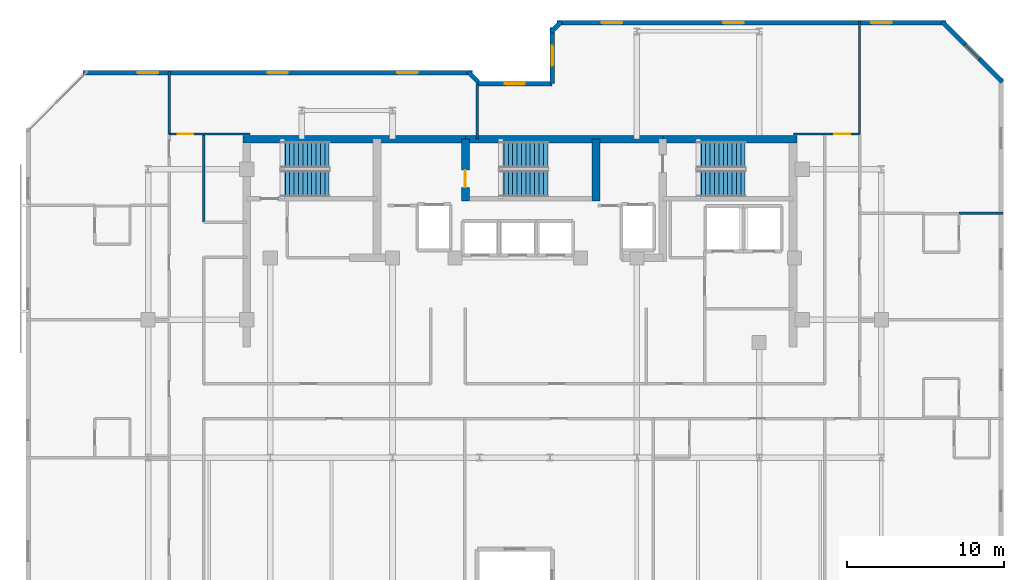
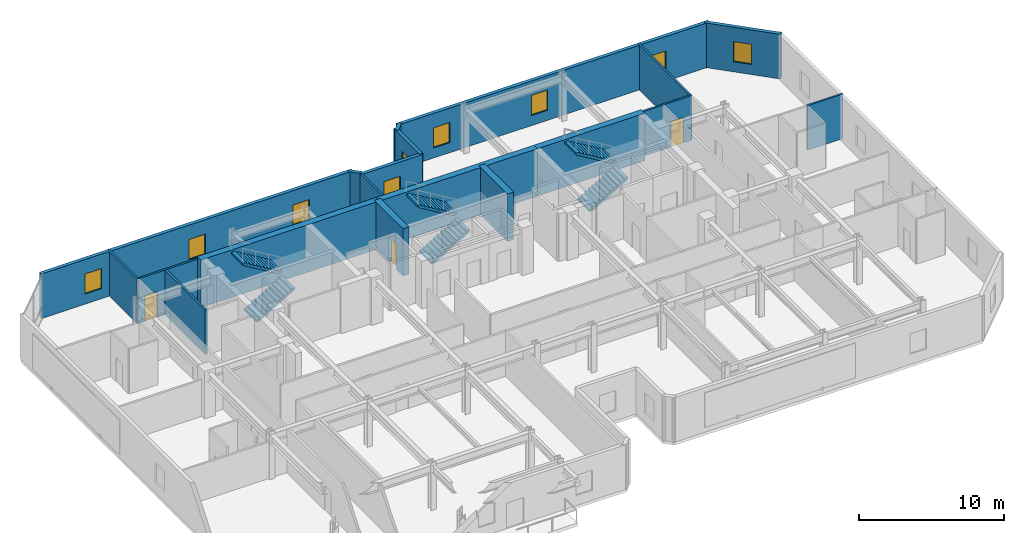
# One storey, part 7 of 10: 19 walls, 9 windows, 6 stair flights, 3 doors, 12 openings, 3 elements without a shape of their own.
"""IFC4 building model written with IfcOpenShell, lengths in metres."""

from ifc_helpers import new_model, si_unit, direction, frame, frame_2d, origin, place, context, subcontext, project, spatial, polyline, rectangle, outline, extrude, material, layer, layer_set, type_object, element, fill, aggregate, save


model = new_model("IFC4")

# Units and contexts
model_context = context("Model", 3, precision=1e-05, world=origin(), true_north=direction((0.0, 1.0)))
body_context = subcontext(model_context, "Body", "Model", "MODEL_VIEW")
ifc_project = project(units=[si_unit("LENGTHUNIT", "METRE"), si_unit("AREAUNIT", "SQUARE_METRE"), si_unit("VOLUMEUNIT", "CUBIC_METRE"), si_unit("PLANEANGLEUNIT", "RADIAN"), si_unit("MASSUNIT", "GRAM", prefix="KILO")], contexts=[model_context])

# Site, building, storey
site_placement = place(None, origin())
site = spatial("IfcSite", under=ifc_project, at=site_placement, CompositionType="ELEMENT")
building_placement = place(site_placement, origin())
building = spatial("IfcBuilding", under=site, at=building_placement, Name="Kestravale Grand Hotel", CompositionType="ELEMENT")
storey_placement = place(building_placement, frame((0.0, 0.0, 277.39990234375)))
storey = spatial("IfcBuildingStorey", under=building, at=storey_placement, Name="L69", CompositionType="ELEMENT", Elevation=277.39990234375)

# Walls
ifc_material_1 = material(Name="Concrete f'c 50 MPa", Category="concrete")
ifc_layer_1 = layer(ifc_material_1, 0.5)
ifc_layer_set_1 = layer_set([ifc_layer_1], Name="EW-CORE-500")
wall_type_1 = type_object("IfcWallType", Name="EW-CORE-500", PredefinedType="SHEAR", material=ifc_layer_set_1)
wall_1_placement = place(storey_placement, frame((21.64990234375, 40.320068359375, 0.0), z_axis=(0.0, 0.0, 1.0), x_axis=(1.0, 0.0, 0.0)))
element("IfcWall", 1, at=wall_1_placement, inside=storey, type_object=wall_type_1, Name="L69 core shear wall N1", PredefinedType="SHEAR", context=body_context, shape_type="SweptSolid", body=[
    extrude(rectangle(XDim=14.2001953125, YDim=0.5, at=frame_2d((7.10009765625, 0.0))), origin(), (0.0, 0.0, 1.0), 4.0),
])
wall_2_placement = place(storey_placement, frame((35.85009765625, 40.320068359375, 0.0), z_axis=(0.0, 0.0, 1.0), x_axis=(1.0, 0.0, 0.0)))
element("IfcWall", 2, at=wall_2_placement, inside=storey, type_object=wall_type_1, Name="L69 core shear wall N2", PredefinedType="SHEAR", context=body_context, shape_type="SweptSolid", body=[
    extrude(rectangle(XDim=12.599853515625, YDim=0.5, at=frame_2d((6.2998046875, 0.0))), origin(), (0.0, 0.0, 1.0), 4.0),
])
wall_3_placement = place(storey_placement, frame((48.449951171875, 40.320068359375, 0.0), z_axis=(0.0, 0.0, 1.0), x_axis=(1.0, 0.0, 0.0)))
element("IfcWall", 3, at=wall_3_placement, inside=storey, type_object=wall_type_1, Name="L69 core shear wall N3", PredefinedType="SHEAR", context=body_context, shape_type="SweptSolid", body=[
    extrude(rectangle(XDim=8.570068359375, YDim=0.5, at=frame_2d((4.28515625, 0.0))), origin(), (0.0, 0.0, 1.0), 4.0),
])

# Wall, opening, door
wall_4_placement = place(storey_placement, frame((35.85009765625, 36.3701171875, 0.0), z_axis=(0.0, 0.0, 1.0), x_axis=(0.0, 1.0, 0.0)))
wall_4 = element("IfcWall", 4, at=wall_4_placement, inside=storey, type_object=wall_type_1, Name="L69 core shear wall X2", PredefinedType="SHEAR", context=body_context, shape_type="SweptSolid", body=[
    extrude(rectangle(XDim=3.949951171875, YDim=0.5, at=frame_2d((1.97509765625, 0.0))), origin(), (0.0, 0.0, 1.0), 4.0),
])
opening_1_placement = place(wall_4_placement, frame((0.8798828125, 0.0, 0.0)))
opening_1 = element("IfcOpeningElement", 5, at=opening_1_placement, cuts=wall_4, Name="Opening D-ST-1100", PredefinedType="OPENING", context=body_context, shape_type="SweptSolid", body=[
    extrude(rectangle(XDim=1.10009765625, YDim=2.14990234375, at=frame_2d((0.550048828125, 1.074951171875))), frame((0.0, 0.260009765625, 0.0), z_axis=(0.0, -1.0, 0.0), x_axis=(1.0, 0.0, 0.0)), (0.0, 0.0, 1.0), 0.52001953125),
])
ifc_material_2 = material(Name="Galvanised 90-minute fire-rated steel stair door", Category="steel")
door_type_1 = type_object("IfcDoorType", Name="D-ST-1100", OperationType="NOTDEFINED", PredefinedType="DOOR", material=ifc_material_2)
door_1_placement = place(opening_1_placement, origin())
door_1 = element("IfcDoor", 6, at=door_1_placement, inside=storey, type_object=door_type_1, Name="L69 Stair ST-2 FSAE fire door", OperationType="SINGLE_SWING_RIGHT", OverallHeight=2.14990234375, OverallWidth=1.10009765625, PredefinedType="DOOR", context=body_context, shape_type="SweptSolid", body=[
    extrude(rectangle(XDim=1.10009765625, YDim=2.14990234375, at=frame_2d((0.550048828125, 1.074951171875))), frame((0.0, 0.02490234375, 0.0), z_axis=(0.0, -1.0, 0.0), x_axis=(1.0, 0.0, 0.0)), (0.0, 0.0, 1.0), 0.050048828125),
])
fill(opening_1, door_1)

# Wall
wall_5_placement = place(storey_placement, frame((44.179931640625, 36.3701171875, 0.0), z_axis=(0.0, 0.0, 1.0), x_axis=(0.0, 1.0, 0.0)))
element("IfcWall", 7, at=wall_5_placement, inside=storey, type_object=wall_type_1, Name="L69 core shear wall X3", PredefinedType="SHEAR", context=body_context, shape_type="SweptSolid", body=[
    extrude(rectangle(XDim=3.949951171875, YDim=0.5, at=frame_2d((1.97509765625, 0.0))), origin(), (0.0, 0.0, 1.0), 4.0),
])

# Wall, opening, window
ifc_material_3 = material(Name="Precast concrete f'c 45 MPa", Category="concrete")
ifc_layer_2 = layer(ifc_material_3, 0.280029296875)
ifc_layer_set_2 = layer_set([ifc_layer_2], Name="EW-PREC-280")
wall_type_2 = type_object("IfcWallType", Name="EW-PREC-280", PredefinedType="SOLIDWALL", material=ifc_layer_set_2)
wall_6_placement = place(storey_placement, frame((70.12939453125, 43.97265625, 0.0), z_axis=(0.0, 0.0, 1.0), x_axis=(-0.707106781187, 0.707106781187, 0.0)))
wall_6 = element("IfcWall", 8, at=wall_6_placement, inside=storey, type_object=wall_type_2, Name="L69 fluted precast facade wall 10", PredefinedType="SOLIDWALL", context=body_context, shape_type="SweptSolid", body=[
    extrude(rectangle(XDim=5.4541015625, YDim=0.280029296875, at=frame_2d((2.72705078125, 0.0))), origin(), (0.0, 0.0, 1.0), 3.760009765625),
])
opening_2_placement = place(wall_6_placement, frame((2.076904296875, 0.0, 0.85009765625)))
opening_2 = element("IfcOpeningElement", 9, at=opening_2_placement, cuts=wall_6, Name="Opening W-GUEST-1300", PredefinedType="OPENING", context=body_context, shape_type="SweptSolid", body=[
    extrude(rectangle(XDim=1.300048828125, YDim=1.699951171875, at=frame_2d((0.64990234375, 0.85009765625))), frame((0.0, 0.14990234375, 0.0), z_axis=(0.0, -1.0, 0.0), x_axis=(1.0, 0.0, 0.0)), (0.0, 0.0, 1.0), 0.300048828125),
])
ifc_material_4 = material(Name="Insulated low-E double glazing in aluminium frame", Category="aluminium")
window_type = type_object("IfcWindowType", Name="W-GUEST-1300", PartitioningType="SINGLE_PANEL", PredefinedType="WINDOW", material=ifc_material_4)
window_1_placement = place(opening_2_placement, origin())
window_1 = element("IfcWindow", 10, at=window_1_placement, inside=storey, type_object=window_type, Name="L69 exterior window 10.1", OverallHeight=1.699951171875, OverallWidth=1.300048828125, PartitioningType="SINGLE_PANEL", PredefinedType="WINDOW", context=body_context, shape_type="SweptSolid", body=[
    extrude(rectangle(XDim=1.300048828125, YDim=1.699951171875, at=frame_2d((0.64990234375, 0.85009765625))), frame((0.0, 0.030029296875, 0.0), z_axis=(0.0, -1.0, 0.0), x_axis=(1.0, 0.0, 0.0)), (0.0, 0.0, 1.0), 0.06005859375),
])
fill(opening_2, window_1)

# Wall, openings, windows
wall_7_placement = place(storey_placement, frame((66.5400390625, 47.760009765625, 0.0), z_axis=(0.0, 0.0, 1.0), x_axis=(-1.0, 0.0, 0.0)))
wall_7 = element("IfcWall", 11, at=wall_7_placement, inside=storey, type_object=wall_type_2, Name="L69 fluted precast facade wall 11", PredefinedType="SOLIDWALL", context=body_context, shape_type="SweptSolid", body=[
    extrude(rectangle(XDim=24.830078125, YDim=0.280029296875, at=frame_2d((12.4150390625, 0.0))), origin(), (0.0, 0.0, 1.0), 3.760009765625),
])
opening_3_placement = place(wall_7_placement, frame((3.48828125, 0.0, 0.85009765625)))
opening_3 = element("IfcOpeningElement", 12, at=opening_3_placement, cuts=wall_7, Name="Opening W-GUEST-1300", PredefinedType="OPENING", context=body_context, shape_type="SweptSolid", body=[
    extrude(rectangle(XDim=1.300048828125, YDim=1.699951171875, at=frame_2d((0.64990234375, 0.85009765625))), frame((0.0, 0.14990234375, 0.0), z_axis=(0.0, -1.0, 0.0), x_axis=(1.0, 0.0, 0.0)), (0.0, 0.0, 1.0), 0.300048828125),
])
opening_4_placement = place(wall_7_placement, frame((12.9150390625, 0.0, 0.85009765625)))
opening_4 = element("IfcOpeningElement", 13, at=opening_4_placement, cuts=wall_7, Name="Opening W-GUEST-1300", PredefinedType="OPENING", context=body_context, shape_type="SweptSolid", body=[
    extrude(rectangle(XDim=1.300048828125, YDim=1.699951171875, at=frame_2d((0.64990234375, 0.85009765625))), frame((0.0, 0.14990234375, 0.0), z_axis=(0.0, -1.0, 0.0), x_axis=(1.0, 0.0, 0.0)), (0.0, 0.0, 1.0), 0.300048828125),
])
opening_5_placement = place(wall_7_placement, frame((20.691650390625, 0.0, 0.85009765625)))
opening_5 = element("IfcOpeningElement", 14, at=opening_5_placement, cuts=wall_7, Name="Opening W-GUEST-1300", PredefinedType="OPENING", context=body_context, shape_type="SweptSolid", body=[
    extrude(rectangle(XDim=1.300048828125, YDim=1.699951171875, at=frame_2d((0.64990234375, 0.85009765625))), frame((0.0, 0.14990234375, 0.0), z_axis=(0.0, -1.0, 0.0), x_axis=(1.0, 0.0, 0.0)), (0.0, 0.0, 1.0), 0.300048828125),
])
window_2_placement = place(opening_3_placement, origin())
window_2 = element("IfcWindow", 15, at=window_2_placement, inside=storey, type_object=window_type, Name="L69 exterior window 11.1", OverallHeight=1.699951171875, OverallWidth=1.300048828125, PartitioningType="SINGLE_PANEL", PredefinedType="WINDOW", context=body_context, shape_type="SweptSolid", body=[
    extrude(rectangle(XDim=1.300048828125, YDim=1.699951171875, at=frame_2d((0.64990234375, 0.85009765625))), frame((0.0, 0.030029296875, 0.0), z_axis=(0.0, -1.0, 0.0), x_axis=(1.0, 0.0, 0.0)), (0.0, 0.0, 1.0), 0.06005859375),
])
fill(opening_3, window_2)
window_3_placement = place(opening_4_placement, origin())
window_3 = element("IfcWindow", 16, at=window_3_placement, inside=storey, type_object=window_type, Name="L69 exterior window 11.2", OverallHeight=1.699951171875, OverallWidth=1.300048828125, PartitioningType="SINGLE_PANEL", PredefinedType="WINDOW", context=body_context, shape_type="SweptSolid", body=[
    extrude(rectangle(XDim=1.300048828125, YDim=1.699951171875, at=frame_2d((0.64990234375, 0.85009765625))), frame((0.0, 0.030029296875, 0.0), z_axis=(0.0, -1.0, 0.0), x_axis=(1.0, 0.0, 0.0)), (0.0, 0.0, 1.0), 0.06005859375),
])
fill(opening_4, window_3)
window_4_placement = place(opening_5_placement, origin())
window_4 = element("IfcWindow", 17, at=window_4_placement, inside=storey, type_object=window_type, Name="L69 exterior window 11.3", OverallHeight=1.699951171875, OverallWidth=1.300048828125, PartitioningType="SINGLE_PANEL", PredefinedType="WINDOW", context=body_context, shape_type="SweptSolid", body=[
    extrude(rectangle(XDim=1.300048828125, YDim=1.699951171875, at=frame_2d((0.64990234375, 0.85009765625))), frame((0.0, 0.030029296875, 0.0), z_axis=(0.0, -1.0, 0.0), x_axis=(1.0, 0.0, 0.0)), (0.0, 0.0, 1.0), 0.06005859375),
])
fill(opening_5, window_4)

# Wall
wall_8_placement = place(storey_placement, frame((41.977294921875, 47.829345703125, 0.0), z_axis=(0.0, 0.0, 1.0), x_axis=(-0.706975312048, -0.707238225886, 0.0)))
element("IfcWall", 18, at=wall_8_placement, inside=storey, type_object=wall_type_2, Name="L69 fluted precast facade wall 12", PredefinedType="SOLIDWALL", context=body_context, shape_type="SweptSolid", body=[
    extrude(rectangle(XDim=0.9287109375, YDim=0.280029296875, at=frame_2d((0.46435546875, 0.0))), origin(), (0.0, 0.0, 1.0), 3.760009765625),
])

# Wall, opening, window
wall_9_placement = place(storey_placement, frame((41.389892578125, 47.43994140625, 0.0), z_axis=(0.0, 0.0, 1.0), x_axis=(0.0, -1.0, 0.0)))
wall_9 = element("IfcWall", 19, at=wall_9_placement, inside=storey, type_object=wall_type_2, Name="L69 fluted precast facade wall 13", PredefinedType="SOLIDWALL", context=body_context, shape_type="SweptSolid", body=[
    extrude(rectangle(XDim=3.579833984375, YDim=0.280029296875, at=frame_2d((1.7900390625, 0.0))), origin(), (0.0, 0.0, 1.0), 3.760009765625),
])
opening_6_placement = place(wall_9_placement, frame((1.139892578125, 0.0, 0.85009765625)))
opening_6 = element("IfcOpeningElement", 20, at=opening_6_placement, cuts=wall_9, Name="Opening W-GUEST-1300", PredefinedType="OPENING", context=body_context, shape_type="SweptSolid", body=[
    extrude(rectangle(XDim=1.300048828125, YDim=1.699951171875, at=frame_2d((0.64990234375, 0.85009765625))), frame((0.0, 0.14990234375, 0.0), z_axis=(0.0, -1.0, 0.0), x_axis=(1.0, 0.0, 0.0)), (0.0, 0.0, 1.0), 0.300048828125),
])
window_5_placement = place(opening_6_placement, origin())
window_5 = element("IfcWindow", 21, at=window_5_placement, inside=storey, type_object=window_type, Name="L69 exterior window 13.1", OverallHeight=1.699951171875, OverallWidth=1.300048828125, PartitioningType="SINGLE_PANEL", PredefinedType="WINDOW", context=body_context, shape_type="SweptSolid", body=[
    extrude(rectangle(XDim=1.300048828125, YDim=1.699951171875, at=frame_2d((0.64990234375, 0.85009765625))), frame((0.0, 0.030029296875, 0.0), z_axis=(0.0, -1.0, 0.0), x_axis=(1.0, 0.0, 0.0)), (0.0, 0.0, 1.0), 0.06005859375),
])
fill(opening_6, window_5)

wall_10_placement = place(storey_placement, frame((41.389892578125, 43.860107421875, 0.0), z_axis=(0.0, 0.0, 1.0), x_axis=(-1.0, 0.0, 0.0)))
wall_10 = element("IfcWall", 22, at=wall_10_placement, inside=storey, type_object=wall_type_2, Name="L69 fluted precast facade wall 14", PredefinedType="SOLIDWALL", context=body_context, shape_type="SweptSolid", body=[
    extrude(rectangle(XDim=4.77978515625, YDim=0.280029296875, at=frame_2d((2.389892578125, 0.0))), origin(), (0.0, 0.0, 1.0), 3.760009765625),
])
opening_7_placement = place(wall_10_placement, frame((1.739990234375, 0.0, 0.85009765625)))
opening_7 = element("IfcOpeningElement", 23, at=opening_7_placement, cuts=wall_10, Name="Opening W-GUEST-1300", PredefinedType="OPENING", context=body_context, shape_type="SweptSolid", body=[
    extrude(rectangle(XDim=1.300048828125, YDim=1.699951171875, at=frame_2d((0.64990234375, 0.85009765625))), frame((0.0, 0.14990234375, 0.0), z_axis=(0.0, -1.0, 0.0), x_axis=(1.0, 0.0, 0.0)), (0.0, 0.0, 1.0), 0.300048828125),
])
window_6_placement = place(opening_7_placement, origin())
window_6 = element("IfcWindow", 24, at=window_6_placement, inside=storey, type_object=window_type, Name="L69 exterior window 14.1", OverallHeight=1.699951171875, OverallWidth=1.300048828125, PartitioningType="SINGLE_PANEL", PredefinedType="WINDOW", context=body_context, shape_type="SweptSolid", body=[
    extrude(rectangle(XDim=1.300048828125, YDim=1.699951171875, at=frame_2d((0.64990234375, 0.85009765625))), frame((0.0, 0.030029296875, 0.0), z_axis=(0.0, -1.0, 0.0), x_axis=(1.0, 0.0, 0.0)), (0.0, 0.0, 1.0), 0.06005859375),
])
fill(opening_7, window_6)

# Wall
wall_11_placement = place(storey_placement, frame((36.67919921875, 43.97265625, 0.0), z_axis=(0.0, 0.0, 1.0), x_axis=(-0.706975312048, 0.707238225886, 0.0)))
element("IfcWall", 25, at=wall_11_placement, inside=storey, type_object=wall_type_2, Name="L69 fluted precast facade wall 16", PredefinedType="SOLIDWALL", context=body_context, shape_type="SweptSolid", body=[
    extrude(rectangle(XDim=0.9287109375, YDim=0.280029296875, at=frame_2d((0.46435546875, 0.0))), origin(), (0.0, 0.0, 1.0), 3.760009765625),
])

# Wall, openings, windows
wall_12_placement = place(storey_placement, frame((36.2900390625, 44.56005859375, 0.0), z_axis=(0.0, 0.0, 1.0), x_axis=(-1.0, 0.0, 0.0)))
wall_12 = element("IfcWall", 26, at=wall_12_placement, inside=storey, type_object=wall_type_2, Name="L69 fluted precast facade wall 17", PredefinedType="SOLIDWALL", context=body_context, shape_type="SweptSolid", body=[
    extrude(rectangle(XDim=24.830078125, YDim=0.280029296875, at=frame_2d((12.4150390625, 0.0))), origin(), (0.0, 0.0, 1.0), 3.760009765625),
])
opening_8_placement = place(wall_12_placement, frame((3.48828125, 0.0, 0.85009765625)))
opening_8 = element("IfcOpeningElement", 27, at=opening_8_placement, cuts=wall_12, Name="Opening W-GUEST-1300", PredefinedType="OPENING", context=body_context, shape_type="SweptSolid", body=[
    extrude(rectangle(XDim=1.300048828125, YDim=1.699951171875, at=frame_2d((0.64990234375, 0.85009765625))), frame((0.0, 0.14990234375, 0.0), z_axis=(0.0, -1.0, 0.0), x_axis=(1.0, 0.0, 0.0)), (0.0, 0.0, 1.0), 0.300048828125),
])
opening_9_placement = place(wall_12_placement, frame((11.764892578125, 0.0, 0.85009765625)))
opening_9 = element("IfcOpeningElement", 28, at=opening_9_placement, cuts=wall_12, Name="Opening W-GUEST-1300", PredefinedType="OPENING", context=body_context, shape_type="SweptSolid", body=[
    extrude(rectangle(XDim=1.300048828125, YDim=1.699951171875, at=frame_2d((0.64990234375, 0.85009765625))), frame((0.0, 0.14990234375, 0.0), z_axis=(0.0, -1.0, 0.0), x_axis=(1.0, 0.0, 0.0)), (0.0, 0.0, 1.0), 0.300048828125),
])
opening_10_placement = place(wall_12_placement, frame((20.041748046875, 0.0, 0.85009765625)))
opening_10 = element("IfcOpeningElement", 29, at=opening_10_placement, cuts=wall_12, Name="Opening W-GUEST-1300", PredefinedType="OPENING", context=body_context, shape_type="SweptSolid", body=[
    extrude(rectangle(XDim=1.300048828125, YDim=1.699951171875, at=frame_2d((0.64990234375, 0.85009765625))), frame((0.0, 0.14990234375, 0.0), z_axis=(0.0, -1.0, 0.0), x_axis=(1.0, 0.0, 0.0)), (0.0, 0.0, 1.0), 0.300048828125),
])
window_7_placement = place(opening_8_placement, origin())
window_7 = element("IfcWindow", 30, at=window_7_placement, inside=storey, type_object=window_type, Name="L69 exterior window 17.1", OverallHeight=1.699951171875, OverallWidth=1.300048828125, PartitioningType="SINGLE_PANEL", PredefinedType="WINDOW", context=body_context, shape_type="SweptSolid", body=[
    extrude(rectangle(XDim=1.300048828125, YDim=1.699951171875, at=frame_2d((0.64990234375, 0.85009765625))), frame((0.0, 0.030029296875, 0.0), z_axis=(0.0, -1.0, 0.0), x_axis=(1.0, 0.0, 0.0)), (0.0, 0.0, 1.0), 0.06005859375),
])
fill(opening_8, window_7)
window_8_placement = place(opening_9_placement, origin())
window_8 = element("IfcWindow", 31, at=window_8_placement, inside=storey, type_object=window_type, Name="L69 exterior window 17.2", OverallHeight=1.699951171875, OverallWidth=1.300048828125, PartitioningType="SINGLE_PANEL", PredefinedType="WINDOW", context=body_context, shape_type="SweptSolid", body=[
    extrude(rectangle(XDim=1.300048828125, YDim=1.699951171875, at=frame_2d((0.64990234375, 0.85009765625))), frame((0.0, 0.030029296875, 0.0), z_axis=(0.0, -1.0, 0.0), x_axis=(1.0, 0.0, 0.0)), (0.0, 0.0, 1.0), 0.06005859375),
])
fill(opening_9, window_8)
window_9_placement = place(opening_10_placement, origin())
window_9 = element("IfcWindow", 32, at=window_9_placement, inside=storey, type_object=window_type, Name="L69 exterior window 17.3", OverallHeight=1.699951171875, OverallWidth=1.300048828125, PartitioningType="SINGLE_PANEL", PredefinedType="WINDOW", context=body_context, shape_type="SweptSolid", body=[
    extrude(rectangle(XDim=1.300048828125, YDim=1.699951171875, at=frame_2d((0.64990234375, 0.85009765625))), frame((0.0, 0.030029296875, 0.0), z_axis=(0.0, -1.0, 0.0), x_axis=(1.0, 0.0, 0.0)), (0.0, 0.0, 1.0), 0.06005859375),
])
fill(opening_10, window_9)

# Wall
ifc_material_5 = material(Name="Acoustic fire-rated gypsum board partition", Category="other")
ifc_layer_3 = layer(ifc_material_5, 0.159912109375)
ifc_layer_set_3 = layer_set([ifc_layer_3], Name="IW-CORR-160")
wall_type_3 = type_object("IfcWallType", Name="IW-CORR-160", PredefinedType="PARTITIONING", material=ifc_layer_set_3)
wall_13_placement = place(storey_placement, frame((19.159912109375, 35.02001953125, 0.0), z_axis=(0.0, 0.0, 1.0), x_axis=(0.0, 1.0, 0.0)))
element("IfcWall", 33, at=wall_13_placement, inside=storey, type_object=wall_type_3, Name="W-L69-SW-EN", PredefinedType="PARTITIONING", context=body_context, shape_type="SweptSolid", body=[
    extrude(rectangle(XDim=5.6298828125, YDim=0.159912109375, at=frame_2d((2.81494140625, 0.0))), origin(), (0.0, 0.0, 1.0), 3.760009765625),
])

# Wall, opening, door
ifc_material_6 = material(Name="Double-stud STC 52 acoustic demising partition", Category="other")
ifc_layer_4 = layer(ifc_material_6, 0.14990234375)
ifc_layer_set_4 = layer_set([ifc_layer_4], Name="IW-UNIT-150")
wall_type_4 = type_object("IfcWallType", Name="IW-UNIT-150", PredefinedType="PARTITIONING", material=ifc_layer_set_4)
wall_14_placement = place(storey_placement, frame((16.93994140625, 40.64990234375, 0.0), z_axis=(0.0, 0.0, 1.0), x_axis=(1.0, 0.0, 0.0)))
wall_14 = element("IfcWall", 34, at=wall_14_placement, inside=storey, type_object=wall_type_4, Name="W-L69-SW-N", PredefinedType="PARTITIONING", context=body_context, shape_type="SweptSolid", body=[
    extrude(rectangle(XDim=5.16015625, YDim=0.14990234375, at=frame_2d((2.580078125, 0.0))), origin(), (0.0, 0.0, 1.0), 3.760009765625),
])
opening_11_placement = place(wall_14_placement, frame((0.550048828125, 0.0, 0.0)))
opening_11 = element("IfcOpeningElement", 35, at=opening_11_placement, cuts=wall_14, Name="Opening D-GUEST-1000", PredefinedType="OPENING", context=body_context, shape_type="SweptSolid", body=[
    extrude(rectangle(XDim=1.0, YDim=2.14990234375, at=frame_2d((0.5, 1.074951171875))), frame((0.0, 0.0849609375, 0.0), z_axis=(0.0, -1.0, 0.0), x_axis=(1.0, 0.0, 0.0)), (0.0, 0.0, 1.0), 0.169921875),
])
ifc_material_7 = material(Name="Accessible walnut veneer hotel entrance fire door", Category="wood")
door_type_2 = type_object("IfcDoorType", Name="D-GUEST-1000", OperationType="NOTDEFINED", PredefinedType="DOOR", material=ifc_material_7)
door_2_placement = place(opening_11_placement, origin())
door_2 = element("IfcDoor", 36, at=door_2_placement, inside=storey, type_object=door_type_2, Name="L69 NW Gallery Door", OperationType="SINGLE_SWING_RIGHT", OverallHeight=2.14990234375, OverallWidth=1.0, PredefinedType="DOOR", context=body_context, shape_type="SweptSolid", body=[
    extrude(rectangle(XDim=1.0, YDim=2.14990234375, at=frame_2d((0.5, 1.074951171875))), frame((0.0, 0.02490234375, 0.0), z_axis=(0.0, -1.0, 0.0), x_axis=(1.0, 0.0, 0.0)), (0.0, 0.0, 1.0), 0.050048828125),
])
fill(opening_11, door_2)

wall_15_placement = place(storey_placement, frame((56.800048828125, 40.64990234375, 0.0), z_axis=(0.0, 0.0, 1.0), x_axis=(1.0, 0.0, 0.0)))
wall_15 = element("IfcWall", 37, at=wall_15_placement, inside=storey, type_object=wall_type_4, Name="W-L69-SE-N", PredefinedType="PARTITIONING", context=body_context, shape_type="SweptSolid", body=[
    extrude(rectangle(XDim=4.2099609375, YDim=0.14990234375, at=frame_2d((2.10498046875, 0.0))), origin(), (0.0, 0.0, 1.0), 3.760009765625),
])
opening_12_placement = place(wall_15_placement, frame((2.60009765625, 0.0, 0.0)))
opening_12 = element("IfcOpeningElement", 38, at=opening_12_placement, cuts=wall_15, Name="Opening D-GUEST-1000", PredefinedType="OPENING", context=body_context, shape_type="SweptSolid", body=[
    extrude(rectangle(XDim=1.0, YDim=2.14990234375, at=frame_2d((0.5, 1.074951171875))), frame((0.0, 0.0849609375, 0.0), z_axis=(0.0, -1.0, 0.0), x_axis=(1.0, 0.0, 0.0)), (0.0, 0.0, 1.0), 0.169921875),
])
door_3_placement = place(opening_12_placement, origin())
door_3 = element("IfcDoor", 39, at=door_3_placement, inside=storey, type_object=door_type_2, Name="L69 NE Gallery Door", OperationType="SINGLE_SWING_LEFT", OverallHeight=2.14990234375, OverallWidth=1.0, PredefinedType="DOOR", context=body_context, shape_type="SweptSolid", body=[
    extrude(rectangle(XDim=1.0, YDim=2.14990234375, at=frame_2d((0.5, 1.074951171875))), frame((0.0, 0.02490234375, 0.0), z_axis=(0.0, -1.0, 0.0), x_axis=(1.0, 0.0, 0.0)), (0.0, 0.0, 1.0), 0.050048828125),
])
fill(opening_12, door_3)

# Walls
wall_16_placement = place(storey_placement, frame((16.93994140625, 40.64990234375, 0.0), z_axis=(0.0, 0.0, 1.0), x_axis=(0.0, 1.0, 0.0)))
element("IfcWall", 40, at=wall_16_placement, inside=storey, type_object=wall_type_4, Name="W-L69-NGW-W", PredefinedType="PARTITIONING", context=body_context, shape_type="SweptSolid", body=[
    extrude(rectangle(XDim=4.030029296875, YDim=0.14990234375, at=frame_2d((2.01513671875, 0.0))), origin(), (0.0, 0.0, 1.0), 3.760009765625),
])
wall_17_placement = place(storey_placement, frame((36.60009765625, 40.320068359375, 0.0), z_axis=(0.0, 0.0, 1.0), x_axis=(0.0, 1.0, 0.0)))
element("IfcWall", 41, at=wall_17_placement, inside=storey, type_object=wall_type_4, Name="W-L69-NGM", PredefinedType="PARTITIONING", context=body_context, shape_type="SweptSolid", body=[
    extrude(rectangle(XDim=3.544921875, YDim=0.14990234375, at=frame_2d((1.7724609375, 0.0))), origin(), (0.0, 0.0, 1.0), 3.760009765625),
])
wall_18_placement = place(storey_placement, frame((61.010009765625, 40.64990234375, 0.0), z_axis=(0.0, 0.0, 1.0), x_axis=(0.0, 1.0, 0.0)))
element("IfcWall", 42, at=wall_18_placement, inside=storey, type_object=wall_type_4, Name="W-L69-NGE-E", PredefinedType="PARTITIONING", context=body_context, shape_type="SweptSolid", body=[
    extrude(rectangle(XDim=7.22998046875, YDim=0.14990234375, at=frame_2d((3.614990234375, 0.0))), origin(), (0.0, 0.0, 1.0), 3.760009765625),
])
wall_19_placement = place(storey_placement, frame((67.35009765625, 35.60009765625, 0.0), z_axis=(0.0, 0.0, 1.0), x_axis=(1.0, 0.0, 0.0)))
element("IfcWall", 43, at=wall_19_placement, inside=storey, type_object=wall_type_4, Name="W-L69-EW-2", PredefinedType="PARTITIONING", context=body_context, shape_type="SweptSolid", body=[
    extrude(rectangle(XDim=2.829833984375, YDim=0.14990234375, at=frame_2d((1.4150390625, 0.0))), origin(), (0.0, 0.0, 1.0), 3.760009765625),
])

# Stair, stair flights
ifc_material_8 = material(Name="Concrete f'c 45 MPa", Category="concrete")
stair_type = type_object("IfcStairType", Name="ST-CORE-400", PredefinedType="HALF_TURN_STAIR", material=ifc_material_8)
stair_1_placement = place(storey_placement, origin())
stair_1 = element("IfcStair", 44, at=stair_1_placement, inside=storey, type_object=stair_type, Name="L69 ST-1", PredefinedType="HALF_TURN_STAIR")
ifc_material_9 = material(Name="Concrete f'c 45 MPa", Category="concrete")
stair_flight_type = type_object("IfcStairFlightType", Name="STF-CORE-400", PredefinedType="STRAIGHT", material=ifc_material_9)
stair_flight_1_placement = place(storey_placement, frame((24.080078125, 37.489990234375, 0.0), z_axis=(0.0, 0.0, 1.0), x_axis=(1.0, 0.0, 0.0)))
stair_flight_1 = element("IfcStairFlight", 45, at=stair_flight_1_placement, type_object=stair_flight_type, Name="ST-1 flight 1", NumberOfRisers=12, NumberOfTreads=11, PredefinedType="STRAIGHT", RiserHeight=0.166666667, TreadLength=0.28, context=body_context, shape_type="SweptSolid", body=[
    extrude(outline(polyline([(0.0, 0.0), (0.0, 0.166748046875), (0.280029296875, 0.166748046875), (0.280029296875, 0.333251953125), (0.56005859375, 0.333251953125), (0.56005859375, 0.5), (0.840087890625, 0.5), (0.840087890625, 0.666748046875), (1.1201171875, 0.666748046875), (1.1201171875, 0.833251953125), (1.39990234375, 0.833251953125), (1.39990234375, 1.0), (1.679931640625, 1.0), (1.679931640625, 1.166748046875), (1.9599609375, 1.166748046875), (1.9599609375, 1.333251953125), (2.239990234375, 1.333251953125), (2.239990234375, 1.5), (2.52001953125, 1.5), (2.52001953125, 1.666748046875), (2.800048828125, 1.666748046875), (2.800048828125, 1.833251953125), (3.080078125, 1.833251953125), (3.080078125, 2.0), (3.080078125, 1.658935546875), (0.29296875, 0.0), (0.0, 0.0)])), frame((0.0, 0.83984375, 0.0), z_axis=(0.0, -1.0, 0.0), x_axis=(1.0, 0.0, 0.0)), (0.0, 0.0, 1.0), 1.679931640625),
])
stair_flight_2_placement = place(storey_placement, frame((27.159912109375, 39.320068359375, 2.0), z_axis=(0.0, 0.0, 1.0), x_axis=(-1.0, 0.0, 0.0)))
stair_flight_2 = element("IfcStairFlight", 46, at=stair_flight_2_placement, type_object=stair_flight_type, Name="ST-1 flight 2", NumberOfRisers=12, NumberOfTreads=11, PredefinedType="STRAIGHT", RiserHeight=0.166666667, TreadLength=0.28, context=body_context, shape_type="SweptSolid", body=[
    extrude(outline(polyline([(0.0, 0.0), (0.0, 0.166748046875), (0.280029296875, 0.166748046875), (0.280029296875, 0.333251953125), (0.56005859375, 0.333251953125), (0.56005859375, 0.5), (0.840087890625, 0.5), (0.840087890625, 0.666748046875), (1.1201171875, 0.666748046875), (1.1201171875, 0.833251953125), (1.39990234375, 0.833251953125), (1.39990234375, 1.0), (1.679931640625, 1.0), (1.679931640625, 1.166748046875), (1.9599609375, 1.166748046875), (1.9599609375, 1.333251953125), (2.239990234375, 1.333251953125), (2.239990234375, 1.5), (2.52001953125, 1.5), (2.52001953125, 1.666748046875), (2.800048828125, 1.666748046875), (2.800048828125, 1.833251953125), (3.080078125, 1.833251953125), (3.080078125, 2.0), (3.080078125, 1.658935546875), (0.29296875, 0.0), (0.0, 0.0)])), frame((0.0, 0.83984375, 0.0), z_axis=(0.0, -1.0, 0.0), x_axis=(1.0, 0.0, 0.0)), (0.0, 0.0, 1.0), 1.679931640625),
])
aggregate(stair_1, [stair_flight_1, stair_flight_2])

stair_2_placement = place(storey_placement, origin())
stair_2 = element("IfcStair", 47, at=stair_2_placement, inside=storey, type_object=stair_type, Name="L69 ST-2", PredefinedType="HALF_TURN_STAIR")
stair_flight_3_placement = place(storey_placement, frame((38.030029296875, 37.489990234375, 0.0), z_axis=(0.0, 0.0, 1.0), x_axis=(1.0, 0.0, 0.0)))
stair_flight_3 = element("IfcStairFlight", 48, at=stair_flight_3_placement, type_object=stair_flight_type, Name="ST-2 flight 1", NumberOfRisers=12, NumberOfTreads=11, PredefinedType="STRAIGHT", RiserHeight=0.166666667, TreadLength=0.28, context=body_context, shape_type="SweptSolid", body=[
    extrude(outline(polyline([(0.0, 0.0), (0.0, 0.166748046875), (0.280029296875, 0.166748046875), (0.280029296875, 0.333251953125), (0.56005859375, 0.333251953125), (0.56005859375, 0.5), (0.840087890625, 0.5), (0.840087890625, 0.666748046875), (1.1201171875, 0.666748046875), (1.1201171875, 0.833251953125), (1.39990234375, 0.833251953125), (1.39990234375, 1.0), (1.679931640625, 1.0), (1.679931640625, 1.166748046875), (1.9599609375, 1.166748046875), (1.9599609375, 1.333251953125), (2.239990234375, 1.333251953125), (2.239990234375, 1.5), (2.52001953125, 1.5), (2.52001953125, 1.666748046875), (2.800048828125, 1.666748046875), (2.800048828125, 1.833251953125), (3.080078125, 1.833251953125), (3.080078125, 2.0), (3.080078125, 1.658935546875), (0.29296875, 0.0), (0.0, 0.0)])), frame((0.0, 0.83984375, 0.0), z_axis=(0.0, -1.0, 0.0), x_axis=(1.0, 0.0, 0.0)), (0.0, 0.0, 1.0), 1.679931640625),
])
stair_flight_4_placement = place(storey_placement, frame((41.110107421875, 39.320068359375, 2.0), z_axis=(0.0, 0.0, 1.0), x_axis=(-1.0, 0.0, 0.0)))
stair_flight_4 = element("IfcStairFlight", 49, at=stair_flight_4_placement, type_object=stair_flight_type, Name="ST-2 flight 2", NumberOfRisers=12, NumberOfTreads=11, PredefinedType="STRAIGHT", RiserHeight=0.166666667, TreadLength=0.28, context=body_context, shape_type="SweptSolid", body=[
    extrude(outline(polyline([(0.0, 0.0), (0.0, 0.166748046875), (0.280029296875, 0.166748046875), (0.280029296875, 0.333251953125), (0.56005859375, 0.333251953125), (0.56005859375, 0.5), (0.840087890625, 0.5), (0.840087890625, 0.666748046875), (1.1201171875, 0.666748046875), (1.1201171875, 0.833251953125), (1.39990234375, 0.833251953125), (1.39990234375, 1.0), (1.679931640625, 1.0), (1.679931640625, 1.166748046875), (1.9599609375, 1.166748046875), (1.9599609375, 1.333251953125), (2.239990234375, 1.333251953125), (2.239990234375, 1.5), (2.52001953125, 1.5), (2.52001953125, 1.666748046875), (2.800048828125, 1.666748046875), (2.800048828125, 1.833251953125), (3.080078125, 1.833251953125), (3.080078125, 2.0), (3.080078125, 1.658935546875), (0.29296875, 0.0), (0.0, 0.0)])), frame((0.0, 0.83984375, 0.0), z_axis=(0.0, -1.0, 0.0), x_axis=(1.0, 0.0, 0.0)), (0.0, 0.0, 1.0), 1.679931640625),
])
aggregate(stair_2, [stair_flight_3, stair_flight_4])

stair_3_placement = place(storey_placement, origin())
stair_3 = element("IfcStair", 50, at=stair_3_placement, inside=storey, type_object=stair_type, Name="L69 ST-3", PredefinedType="HALF_TURN_STAIR")
stair_flight_5_placement = place(storey_placement, frame((50.6298828125, 37.489990234375, 0.0), z_axis=(0.0, 0.0, 1.0), x_axis=(1.0, 0.0, 0.0)))
stair_flight_5 = element("IfcStairFlight", 51, at=stair_flight_5_placement, type_object=stair_flight_type, Name="ST-3 flight 1", NumberOfRisers=12, NumberOfTreads=11, PredefinedType="STRAIGHT", RiserHeight=0.166666667, TreadLength=0.28, context=body_context, shape_type="SweptSolid", body=[
    extrude(outline(polyline([(0.0, 0.0), (0.0, 0.166748046875), (0.280029296875, 0.166748046875), (0.280029296875, 0.333251953125), (0.56005859375, 0.333251953125), (0.56005859375, 0.5), (0.840087890625, 0.5), (0.840087890625, 0.666748046875), (1.1201171875, 0.666748046875), (1.1201171875, 0.833251953125), (1.39990234375, 0.833251953125), (1.39990234375, 1.0), (1.679931640625, 1.0), (1.679931640625, 1.166748046875), (1.9599609375, 1.166748046875), (1.9599609375, 1.333251953125), (2.239990234375, 1.333251953125), (2.239990234375, 1.5), (2.52001953125, 1.5), (2.52001953125, 1.666748046875), (2.800048828125, 1.666748046875), (2.800048828125, 1.833251953125), (3.080078125, 1.833251953125), (3.080078125, 2.0), (3.080078125, 1.658935546875), (0.29296875, 0.0), (0.0, 0.0)])), frame((0.0, 0.83984375, 0.0), z_axis=(0.0, -1.0, 0.0), x_axis=(1.0, 0.0, 0.0)), (0.0, 0.0, 1.0), 1.679931640625),
])
stair_flight_6_placement = place(storey_placement, frame((53.7099609375, 39.320068359375, 2.0), z_axis=(0.0, 0.0, 1.0), x_axis=(-1.0, 0.0, 0.0)))
stair_flight_6 = element("IfcStairFlight", 52, at=stair_flight_6_placement, type_object=stair_flight_type, Name="ST-3 flight 2", NumberOfRisers=12, NumberOfTreads=11, PredefinedType="STRAIGHT", RiserHeight=0.166666667, TreadLength=0.28, context=body_context, shape_type="SweptSolid", body=[
    extrude(outline(polyline([(0.0, 0.0), (0.0, 0.166748046875), (0.280029296875, 0.166748046875), (0.280029296875, 0.333251953125), (0.56005859375, 0.333251953125), (0.56005859375, 0.5), (0.840087890625, 0.5), (0.840087890625, 0.666748046875), (1.1201171875, 0.666748046875), (1.1201171875, 0.833251953125), (1.39990234375, 0.833251953125), (1.39990234375, 1.0), (1.679931640625, 1.0), (1.679931640625, 1.166748046875), (1.9599609375, 1.166748046875), (1.9599609375, 1.333251953125), (2.239990234375, 1.333251953125), (2.239990234375, 1.5), (2.52001953125, 1.5), (2.52001953125, 1.666748046875), (2.800048828125, 1.666748046875), (2.800048828125, 1.833251953125), (3.080078125, 1.833251953125), (3.080078125, 2.0), (3.080078125, 1.658935546875), (0.29296875, 0.0), (0.0, 0.0)])), frame((0.0, 0.83984375, 0.0), z_axis=(0.0, -1.0, 0.0), x_axis=(1.0, 0.0, 0.0)), (0.0, 0.0, 1.0), 1.679931640625),
])
aggregate(stair_3, [stair_flight_5, stair_flight_6])

save(model, "model.ifc")
